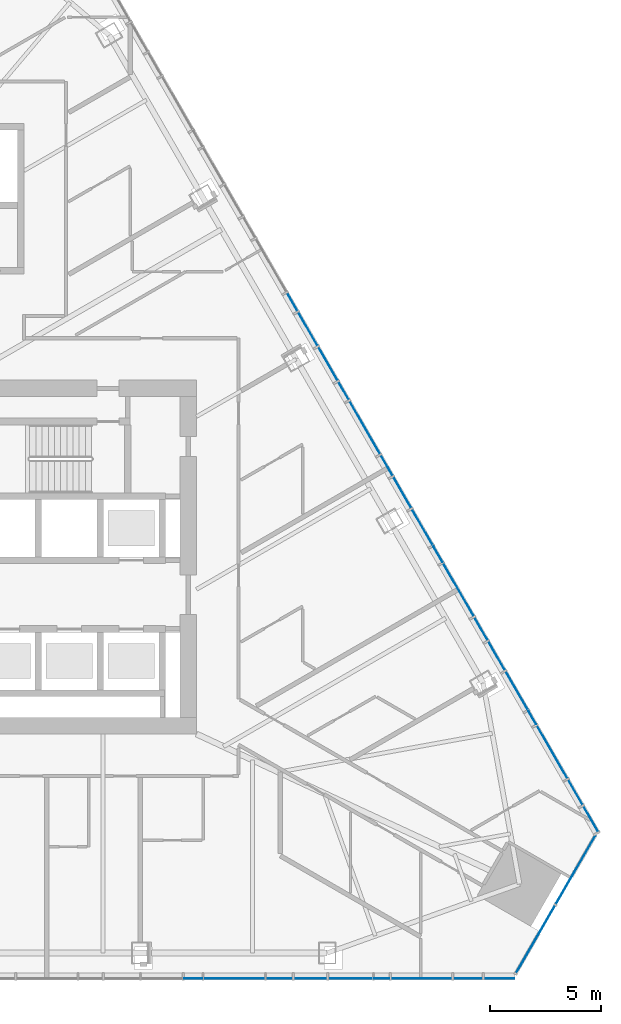
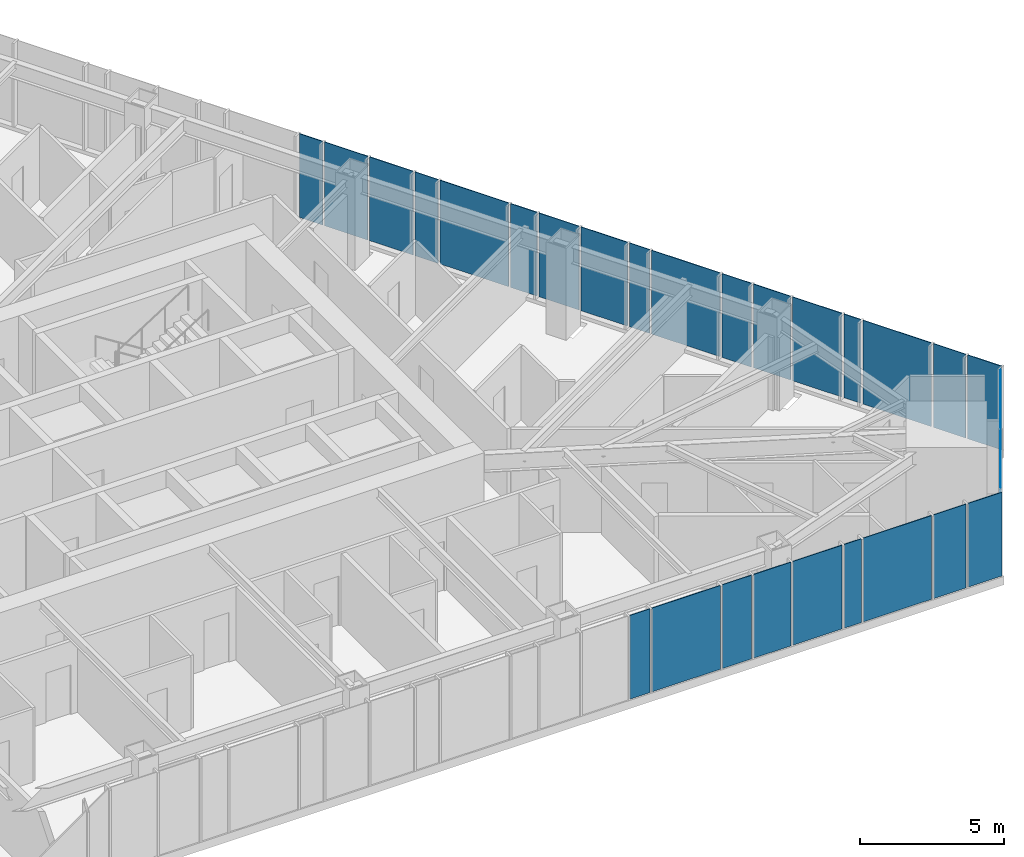
# One storey, part 10 of 19: 28 plates, 3 elements without a shape of their own.
"""IFC4 building model written with IfcOpenShell, lengths in metres."""

from ifc_helpers import new_model, si_unit, direction, frame, origin, place, context, subcontext, project, spatial, polyline, outline, extrude, material, layer, layer_set, type_object, element, aggregate, save


model = new_model("IFC4")

# Units and contexts
model_context = context("Model", 3, precision=1e-05, world=origin(), true_north=direction((0.0, 1.0)))
body_context = subcontext(model_context, "Body", "Model", "MODEL_VIEW")
ifc_project = project(units=[si_unit("LENGTHUNIT", "METRE"), si_unit("AREAUNIT", "SQUARE_METRE"), si_unit("VOLUMEUNIT", "CUBIC_METRE"), si_unit("PLANEANGLEUNIT", "RADIAN"), si_unit("MASSUNIT", "GRAM", prefix="KILO")], contexts=[model_context])

# Site, building, storey
site_placement = place(None, origin())
site = spatial("IfcSite", under=ifc_project, at=site_placement, CompositionType="ELEMENT")
building_placement = place(site_placement, origin())
building = spatial("IfcBuilding", under=site, at=building_placement, Name="Firuza Gate Tower and Library", CompositionType="ELEMENT")
storey_placement = place(building_placement, frame((0.0, 0.0, 210.39990234375)))
storey = spatial("IfcBuildingStorey", under=building, at=storey_placement, Name="L49", CompositionType="ELEMENT", Elevation=210.39990234375)

# Curtain wall, plates
ifc_material_1 = material(Name="Aluminium 6063-T6", Category="aluminium")
ifc_layer_1 = layer(ifc_material_1, 0.14990234375)
ifc_layer_set_1 = layer_set([ifc_layer_1], Name="Corner curtain wall, chamfers")
curtain_wall_type_1 = type_object("IfcCurtainWallType", Name="Corner curtain wall, chamfers", PredefinedType="NOTDEFINED", material=ifc_layer_set_1)
placement = place(storey_placement, origin())
curtain_wall_1 = element("IfcCurtainWall", 1, at=placement, inside=storey, type_object=curtain_wall_type_1, Name="CW4 L49 SE corner", PredefinedType="NOTDEFINED")
ifc_material_2 = material(Name="Fritted glass", Category="glass")
ifc_layer_2 = layer(ifc_material_2, 0.030029296875)
ifc_layer_set_2 = layer_set([ifc_layer_2], Name="Fritted glass unit, corners")
plate_type_1 = type_object("IfcPlateType", Name="Fritted glass unit, corners", PredefinedType="CURTAIN_PANEL", material=ifc_layer_set_2)
plate_1_placement = place(storey_placement, frame((100.443359375, 56.149658203125, 0.150146484375), z_axis=(0.866046390552, -0.49996364809, 0.0), x_axis=(0.49996364809, 0.866046390552, 0.0)))
plate_1 = element("IfcPlate", 2, at=plate_1_placement, type_object=plate_type_1, Name="Glass unit", PredefinedType="CURTAIN_PANEL", context=body_context, shape_type="SweptSolid", body=[
    extrude(outline(polyline([(0.0, 0.0), (3.563247342942594, 0.0), (3.563247342942594, 3.550048828125), (0.0, 3.550048828125), (0.0, 0.0)])), origin(), (0.0, 0.0, -1.0), 0.030029296875),
])
plate_2_placement = place(storey_placement, frame((102.264892578125, 59.3046875, 0.150146484375), z_axis=(0.866016723041, -0.500015035186, 0.0), x_axis=(0.500015035186, 0.866016723041, 0.0)))
plate_2 = element("IfcPlate", 3, at=plate_2_placement, type_object=plate_type_1, Name="Glass unit", PredefinedType="CURTAIN_PANEL", context=body_context, shape_type="SweptSolid", body=[
    extrude(outline(polyline([(0.0, 0.0), (3.5633694106530625, 0.0), (3.5633694106530625, 3.550048828125), (0.0, 3.550048828125), (0.0, 0.0)])), origin(), (0.0, 0.0, -1.0), 0.030029296875),
])
aggregate(curtain_wall_1, [plate_1, plate_2])

ifc_material_3 = material(Name="Aluminium 6063-T6", Category="aluminium")
ifc_layer_3 = layer(ifc_material_3, 0.14990234375)
ifc_layer_set_3 = layer_set([ifc_layer_3], Name="Unitised curtain wall, hotel")
curtain_wall_type_2 = type_object("IfcCurtainWallType", Name="Unitised curtain wall, hotel", PredefinedType="NOTDEFINED", material=ifc_layer_set_3)
curtain_wall_2 = element("IfcCurtainWall", 4, at=placement, inside=storey, type_object=curtain_wall_type_2, Name="CW2 L49 S face", PredefinedType="NOTDEFINED")
ifc_material_4 = material(Name="Fritted glass", Category="glass")
ifc_layer_4 = layer(ifc_material_4, 0.030029296875)
ifc_layer_set_4 = layer_set([ifc_layer_4], Name="Fritted glass unit, hotel")
plate_type_2 = type_object("IfcPlateType", Name="Fritted glass unit, hotel", PredefinedType="CURTAIN_PANEL", material=ifc_layer_set_4)
plate_3_placement = place(storey_placement, frame((90.41357421875, 55.9375, 0.150146484375), z_axis=(0.0, -1.0, 0.0), x_axis=(1.0, 0.0, 0.0)))
plate_3 = element("IfcPlate", 5, at=plate_3_placement, type_object=plate_type_2, Name="Glass unit", PredefinedType="CURTAIN_PANEL", context=body_context, shape_type="SweptSolid", body=[
    extrude(outline(polyline([(0.0, 0.0), (1.486572265625, 0.0), (1.486572265625, 3.550048828125), (0.0, 3.550048828125), (0.0, 0.0)])), origin(), (0.0, 0.0, -1.0), 0.030029296875),
])
plate_4_placement = place(storey_placement, frame((91.980224609375, 55.9375, 0.150146484375), z_axis=(0.0, -1.0, 0.0), x_axis=(1.0, 0.0, 0.0)))
plate_4 = element("IfcPlate", 6, at=plate_4_placement, type_object=plate_type_2, Name="Glass unit", PredefinedType="CURTAIN_PANEL", context=body_context, shape_type="SweptSolid", body=[
    extrude(outline(polyline([(0.0, 0.0), (1.981201171875, 0.0), (1.981201171875, 3.550048828125), (0.0, 3.550048828125), (0.0, 0.0)])), origin(), (0.0, 0.0, -1.0), 0.030029296875),
])
plate_5_placement = place(storey_placement, frame((99.007080078125, 55.9375, 0.150146484375), z_axis=(0.0, -1.0, 0.0), x_axis=(1.0, 0.0, 0.0)))
plate_5 = element("IfcPlate", 7, at=plate_5_placement, type_object=plate_type_2, Name="Glass unit", PredefinedType="CURTAIN_PANEL", context=body_context, shape_type="SweptSolid", body=[
    extrude(outline(polyline([(0.0, 0.0), (1.36328125, 0.0), (1.36328125, 3.550048828125), (0.0, 3.550048828125), (0.0, 0.0)])), origin(), (0.0, 0.0, -1.0), 0.030029296875),
])

curtain_wall_3 = element("IfcCurtainWall", 8, at=placement, inside=storey, type_object=curtain_wall_type_2, Name="CW2 L49 E face", PredefinedType="NOTDEFINED")
plate_6_placement = place(storey_placement, frame((104.19384765625, 62.56005859375, 0.150146484375), z_axis=(0.865985735208, 0.500068701696, 0.0), x_axis=(-0.500068701696, 0.865985735208, 0.0)))
plate_6 = element("IfcPlate", 9, at=plate_6_placement, type_object=plate_type_2, Name="Glass unit", PredefinedType="CURTAIN_PANEL", context=body_context, shape_type="SweptSolid", body=[
    extrude(outline(polyline([(0.0, 0.0), (1.3630939562663213, 0.0), (1.3630939562663213, 3.550048828125), (0.0, 3.550048828125), (0.0, 0.0)])), origin(), (0.0, 0.0, -1.0), 0.030029296875),
])
plate_7_placement = place(storey_placement, frame((100.989501953125, 68.110107421875, 0.150146484375), z_axis=(0.866005004348, 0.500035331196, 0.0), x_axis=(-0.500035331196, 0.866005004348, 0.0)))
plate_7 = element("IfcPlate", 10, at=plate_7_placement, type_object=plate_type_2, Name="Glass unit", PredefinedType="CURTAIN_PANEL", context=body_context, shape_type="SweptSolid", body=[
    extrude(outline(polyline([(0.0, 0.0), (1.9813053087282266, 0.0), (1.9813053087282266, 3.550048828125), (0.0, 3.550048828125), (0.0, 0.0)])), origin(), (0.0, 0.0, -1.0), 0.030029296875),
])
plate_8_placement = place(storey_placement, frame((99.958740234375, 69.895263671875, 0.150146484375), z_axis=(0.866021515814, 0.500006734102, 0.0), x_axis=(-0.500006734102, 0.866021515814, 0.0)))
plate_8 = element("IfcPlate", 11, at=plate_8_placement, type_object=plate_type_2, Name="Glass unit", PredefinedType="CURTAIN_PANEL", context=body_context, shape_type="SweptSolid", body=[
    extrude(outline(polyline([(0.0, 0.0), (1.4867963817732524, 0.0), (1.4867963817732524, 3.550048828125001), (0.0, 3.550048828125001), (0.0, 0.0)])), origin(), (0.0, 0.0, -1.0), 0.030029296875),
])
plate_9_placement = place(storey_placement, frame((96.692626953125, 75.552490234375, 0.150146484375), z_axis=(0.866010510293, 0.500025795397, 0.0), x_axis=(-0.500025795397, 0.866010510293, 0.0)))
plate_9 = element("IfcPlate", 12, at=plate_9_placement, type_object=plate_type_2, Name="Glass unit", PredefinedType="CURTAIN_PANEL", context=body_context, shape_type="SweptSolid", body=[
    extrude(outline(polyline([(0.0, 0.0), (1.857814310135533, 0.0), (1.857814310135533, 3.550048828125001), (0.0, 3.550048828125001), (0.0, 0.0)])), origin(), (0.0, 0.0, -1.0), 0.030029296875),
])
plate_10_placement = place(storey_placement, frame((95.7236328125, 77.230712890625, 0.150146484375), z_axis=(0.866013897511, 0.50001992892, 0.0), x_axis=(-0.50001992892, 0.866013897511, 0.0)))
plate_10 = element("IfcPlate", 13, at=plate_10_placement, type_object=plate_type_2, Name="Glass unit", PredefinedType="CURTAIN_PANEL", context=body_context, shape_type="SweptSolid", body=[
    extrude(outline(polyline([(0.0, 0.0), (1.610287379922637, 0.0), (1.610287379922637, 3.550048828125), (0.0, 3.550048828125), (0.0, 0.0)])), origin(), (0.0, 0.0, -1.0), 0.030029296875),
])
plate_11_placement = place(storey_placement, frame((92.395751953125, 82.994873046875, 0.150146484375), z_axis=(0.865981599177, 0.500075864132, 0.0), x_axis=(-0.500075864132, 0.865981599177, 0.0)))
plate_11 = element("IfcPlate", 14, at=plate_11_placement, type_object=plate_type_2, Name="Glass unit", PredefinedType="CURTAIN_PANEL", context=body_context, shape_type="SweptSolid", body=[
    extrude(outline(polyline([(0.0, 0.0), (1.7341118862140483, 0.0), (1.7341118862140483, 3.550048828125), (0.0, 3.550048828125), (0.0, 0.0)])), origin(), (0.0, 0.0, -1.0), 0.030029296875),
])
plate_12_placement = place(storey_placement, frame((91.48876953125, 84.56591796875, 0.150146484375), z_axis=(0.865981599177, 0.500075864132, 0.0), x_axis=(-0.500075864132, 0.865981599177, 0.0)))
plate_12 = element("IfcPlate", 15, at=plate_12_placement, type_object=plate_type_2, Name="Glass unit", PredefinedType="CURTAIN_PANEL", context=body_context, shape_type="SweptSolid", body=[
    extrude(outline(polyline([(0.0, 0.0), (1.7341118862140483, 0.0), (1.7341118862140483, 3.550048828125), (0.0, 3.550048828125), (0.0, 0.0)])), origin(), (0.0, 0.0, -1.0), 0.030029296875),
])

# Plate
ifc_material_5 = material(Name="Glazed ceramic tile")
ifc_layer_5 = layer(ifc_material_5, 0.030029296875)
ifc_layer_set_5 = layer_set([ifc_layer_5], Name="Opaque ceramic panel, hotel")
plate_type_3 = type_object("IfcPlateType", Name="Opaque ceramic panel, hotel", PredefinedType="CURTAIN_PANEL", material=ifc_layer_set_5)
plate_13_placement = place(storey_placement, frame((85.44775390625, 55.9375, 0.150146484375), z_axis=(0.0, -1.0, 0.0), x_axis=(1.0, 0.0, 0.0)))
plate_13 = element("IfcPlate", 16, at=plate_13_placement, type_object=plate_type_3, Name="Opaque ceramic panel", PredefinedType="CURTAIN_PANEL", context=body_context, shape_type="SweptSolid", body=[
    extrude(outline(polyline([(0.0, 0.0), (0.8056640625, 0.0), (0.8056640625, 3.550048828125), (0.0, 3.550048828125), (0.0, 0.0)])), origin(), (0.0, 0.0, -1.0), 0.030029296875),
])

plate_14_placement = place(storey_placement, frame((86.33349609375, 55.9375, 0.150146484375), z_axis=(0.0, -1.0, 0.0), x_axis=(1.0, 0.0, 0.0)))
plate_14 = element("IfcPlate", 17, at=plate_14_placement, type_object=plate_type_3, Name="Opaque ceramic panel", PredefinedType="CURTAIN_PANEL", context=body_context, shape_type="SweptSolid", body=[
    extrude(outline(polyline([(0.0, 0.0), (2.743408203125, 0.0), (2.743408203125, 3.550048828125), (0.0, 3.550048828125), (0.0, 0.0)])), origin(), (0.0, 0.0, -1.0), 0.030029296875),
])

plate_15_placement = place(storey_placement, frame((89.15673828125, 55.9375, 0.150146484375), z_axis=(0.0, -1.0, 0.0), x_axis=(1.0, 0.0, 0.0)))
plate_15 = element("IfcPlate", 18, at=plate_15_placement, type_object=plate_type_3, Name="Opaque ceramic panel", PredefinedType="CURTAIN_PANEL", context=body_context, shape_type="SweptSolid", body=[
    extrude(outline(polyline([(0.0, 0.0), (1.1767578125, 0.0), (1.1767578125, 3.550048828125), (0.0, 3.550048828125), (0.0, 0.0)])), origin(), (0.0, 0.0, -1.0), 0.030029296875),
])

plate_16_placement = place(storey_placement, frame((94.04150390625, 55.9375, 0.150146484375), z_axis=(0.0, -1.0, 0.0), x_axis=(1.0, 0.0, 0.0)))
plate_16 = element("IfcPlate", 19, at=plate_16_placement, type_object=plate_type_3, Name="Opaque ceramic panel", PredefinedType="CURTAIN_PANEL", context=body_context, shape_type="SweptSolid", body=[
    extrude(outline(polyline([(0.0, 0.0), (0.68212890625, 0.0), (0.68212890625, 3.550048828125), (0.0, 3.550048828125), (0.0, 0.0)])), origin(), (0.0, 0.0, -1.0), 0.030029296875),
])

plate_17_placement = place(storey_placement, frame((94.803466796875, 55.9375, 0.150146484375), z_axis=(0.0, -1.0, 0.0), x_axis=(1.0, 0.0, 0.0)))
plate_17 = element("IfcPlate", 20, at=plate_17_placement, type_object=plate_type_3, Name="Opaque ceramic panel", PredefinedType="CURTAIN_PANEL", context=body_context, shape_type="SweptSolid", body=[
    extrude(outline(polyline([(0.0, 0.0), (2.743408203125, 0.0), (2.743408203125, 3.550048828125), (0.0, 3.550048828125), (0.0, 0.0)])), origin(), (0.0, 0.0, -1.0), 0.030029296875),
])

plate_18_placement = place(storey_placement, frame((97.626953125, 55.9375, 0.150146484375), z_axis=(0.0, -1.0, 0.0), x_axis=(1.0, 0.0, 0.0)))
plate_18 = element("IfcPlate", 21, at=plate_18_placement, type_object=plate_type_3, Name="Opaque ceramic panel", PredefinedType="CURTAIN_PANEL", context=body_context, shape_type="SweptSolid", body=[
    extrude(outline(polyline([(0.0, 0.0), (1.30029296875, 0.0), (1.30029296875, 3.550048828125), (0.0, 3.550048828125), (0.0, 0.0)])), origin(), (0.0, 0.0, -1.0), 0.030029296875),
])

aggregate(curtain_wall_2, [plate_13, plate_14, plate_15, plate_3, plate_4, plate_16, plate_17, plate_18, plate_5])

plate_19_placement = place(storey_placement, frame((103.47216796875, 63.809814453125, 0.150146484375), z_axis=(0.866004217611, 0.500036693733, 0.0), x_axis=(-0.500036693733, 0.866004217611, 0.0)))
plate_19 = element("IfcPlate", 22, at=plate_19_placement, type_object=plate_type_3, Name="Opaque ceramic panel", PredefinedType="CURTAIN_PANEL", context=body_context, shape_type="SweptSolid", body=[
    extrude(outline(polyline([(0.0, 0.0), (1.3001975505454886, 0.0), (1.3001975505454886, 3.550048828125), (0.0, 3.550048828125), (0.0, 0.0)])), origin(), (0.0, 0.0, -1.0), 0.030029296875),
])

plate_20_placement = place(storey_placement, frame((102.7822265625, 65.005126953125, 0.150146484375), z_axis=(0.86599439933, 0.500053697445, 0.0), x_axis=(-0.500053697445, 0.86599439933, 0.0)))
plate_20 = element("IfcPlate", 23, at=plate_20_placement, type_object=plate_type_3, Name="Opaque ceramic panel", PredefinedType="CURTAIN_PANEL", context=body_context, shape_type="SweptSolid", body=[
    extrude(outline(polyline([(0.0, 0.0), (2.7433577211492617, 0.0), (2.7433577211492617, 3.550048828125001), (0.0, 3.550048828125001), (0.0, 0.0)])), origin(), (0.0, 0.0, -1.0), 0.030029296875),
])

plate_21_placement = place(storey_placement, frame((101.370361328125, 67.4501953125, 0.150146484375), z_axis=(0.865964989499, 0.500104626015, 0.0), x_axis=(-0.500104626015, 0.865964989499, 0.0)))
plate_21 = element("IfcPlate", 24, at=plate_21_placement, type_object=plate_type_3, Name="Opaque ceramic panel", PredefinedType="CURTAIN_PANEL", context=body_context, shape_type="SweptSolid", body=[
    extrude(outline(polyline([(0.0, 0.0), (0.6819861992533169, 0.0), (0.6819861992533169, 3.550048828125), (0.0, 3.550048828125), (0.0, 0.0)])), origin(), (0.0, 0.0, -1.0), 0.030029296875),
])

plate_22_placement = place(storey_placement, frame((99.17529296875, 71.252197265625, 0.150146484375), z_axis=(0.8660508054, 0.499956000529, 0.0), x_axis=(-0.499956000529, 0.8660508054, 0.0)))
plate_22 = element("IfcPlate", 25, at=plate_22_placement, type_object=plate_type_3, Name="Opaque ceramic panel", PredefinedType="CURTAIN_PANEL", context=body_context, shape_type="SweptSolid", body=[
    extrude(outline(polyline([(0.0, 0.0), (1.1763730508327905, 0.0), (1.1763730508327905, 3.5500488281249996), (0.0, 3.5500488281249996), (0.0, 0.0)])), origin(), (0.0, 0.0, -1.0), 0.030029296875),
])

plate_23_placement = place(storey_placement, frame((98.547119140625, 72.34033203125, 0.150146484375), z_axis=(0.866016649877, 0.500015161905, 0.0), x_axis=(-0.500015161905, 0.866016649877, 0.0)))
plate_23 = element("IfcPlate", 26, at=plate_23_placement, type_object=plate_type_3, Name="Opaque ceramic panel", PredefinedType="CURTAIN_PANEL", context=body_context, shape_type="SweptSolid", body=[
    extrude(outline(polyline([(0.0, 0.0), (2.7435691482793962, 0.0), (2.7435691482793962, 3.550048828125001), (0.0, 3.550048828125001), (0.0, 0.0)])), origin(), (0.0, 0.0, -1.0), 0.030029296875),
])

plate_24_placement = place(storey_placement, frame((97.135498046875, 74.785400390625, 0.150146484375), z_axis=(0.865902984716, 0.500211976125, 0.0), x_axis=(-0.500211976125, 0.865902984716, 0.0)))
plate_24 = element("IfcPlate", 27, at=plate_24_placement, type_object=plate_type_3, Name="Opaque ceramic panel", PredefinedType="CURTAIN_PANEL", context=body_context, shape_type="SweptSolid", body=[
    extrude(outline(polyline([(0.0, 0.0), (0.805810718482038, 0.0), (0.805810718482038, 3.550048828125), (0.0, 3.550048828125), (0.0, 0.0)])), origin(), (0.0, 0.0, -1.0), 0.030029296875),
])

plate_25_placement = place(storey_placement, frame((94.87841796875, 78.694580078125, 0.150146484375), z_axis=(0.86606589033, 0.499929868688, 0.0), x_axis=(-0.499929868688, 0.86606589033, 0.0)))
plate_25 = element("IfcPlate", 28, at=plate_25_placement, type_object=plate_type_3, Name="Opaque ceramic panel", PredefinedType="CURTAIN_PANEL", context=body_context, shape_type="SweptSolid", body=[
    extrude(outline(polyline([(0.0, 0.0), (1.0528820549987703, 0.0), (1.0528820549987703, 3.550048828125), (0.0, 3.550048828125), (0.0, 0.0)])), origin(), (0.0, 0.0, -1.0), 0.030029296875),
])

plate_26_placement = place(storey_placement, frame((94.31201171875, 79.67578125, 0.150146484375), z_axis=(0.866032936488, 0.499986952748, 0.0), x_axis=(-0.499986952748, 0.866032936488, 0.0)))
plate_26 = element("IfcPlate", 29, at=plate_26_placement, type_object=plate_type_3, Name="Opaque ceramic panel", PredefinedType="CURTAIN_PANEL", context=body_context, shape_type="SweptSolid", body=[
    extrude(outline(polyline([(0.0, 0.0), (2.7432356458743987, 0.0), (2.7432356458743987, 3.550048828125), (0.0, 3.550048828125), (0.0, 0.0)])), origin(), (0.0, 0.0, -1.0), 0.030029296875),
])

plate_27_placement = place(storey_placement, frame((92.900390625, 82.120849609375, 0.150146484375), z_axis=(0.866019315389, 0.500010545262, 0.0), x_axis=(-0.500010545262, 0.866019315389, 0.0)))
plate_27 = element("IfcPlate", 30, at=plate_27_placement, type_object=plate_type_3, Name="Opaque ceramic panel", PredefinedType="CURTAIN_PANEL", context=body_context, shape_type="SweptSolid", body=[
    extrude(outline(polyline([(0.0, 0.0), (0.9291796218641757, 0.0), (0.9291796218641757, 3.550048828125), (0.0, 3.550048828125), (0.0, 0.0)])), origin(), (0.0, 0.0, -1.0), 0.030029296875),
])

plate_28_placement = place(storey_placement, frame((90.58154296875, 86.136962890625, 0.150146484375), z_axis=(0.866019315389, 0.500010545262, 0.0), x_axis=(-0.500010545262, 0.866019315389, 0.0)))
plate_28 = element("IfcPlate", 31, at=plate_28_placement, type_object=plate_type_3, Name="Opaque ceramic panel", PredefinedType="CURTAIN_PANEL", context=body_context, shape_type="SweptSolid", body=[
    extrude(outline(polyline([(0.0, 0.0), (0.9291796218641757, 0.0), (0.9291796218641757, 3.550048828125), (0.0, 3.550048828125), (0.0, 0.0)])), origin(), (0.0, 0.0, -1.0), 0.030029296875),
])

aggregate(curtain_wall_3, [plate_6, plate_19, plate_20, plate_21, plate_7, plate_8, plate_22, plate_23, plate_24, plate_9, plate_10, plate_25, plate_26, plate_27, plate_11, plate_12, plate_28])

save(model, "model.ifc")
